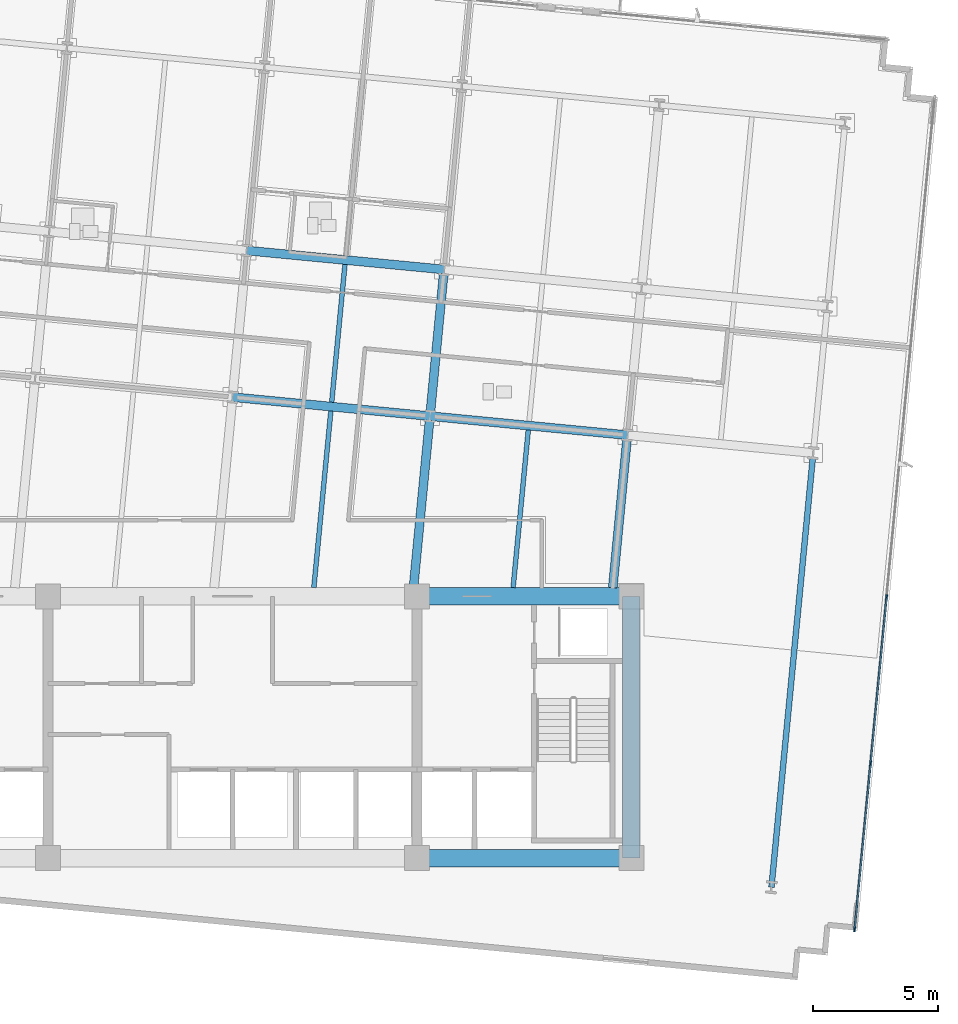
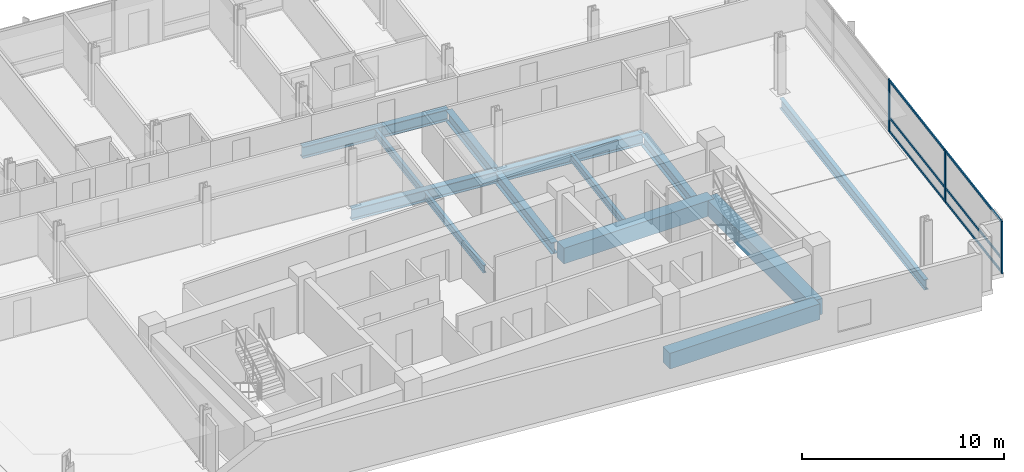
# One storey, part 5 of 17: 13 beams, 9 members, 1 element without a shape of its own.
"""IFC4 building model written with IfcOpenShell, lengths in metres."""

from ifc_helpers import new_model, si_unit, direction, frame, origin, origin_2d, place, context, subcontext, project, spatial, rectangle, i_section, extrude, material, material_profile, profile_set, type_object, element, aggregate, save


model = new_model("IFC4")

# Units and contexts
model_context = context("Model", 3, precision=1e-05, world=origin(), true_north=direction((0.0, 1.0)))
body_context = subcontext(model_context, "Body", "Model", "MODEL_VIEW")
ifc_project = project(units=[si_unit("LENGTHUNIT", "METRE"), si_unit("AREAUNIT", "SQUARE_METRE"), si_unit("VOLUMEUNIT", "CUBIC_METRE"), si_unit("PLANEANGLEUNIT", "RADIAN"), si_unit("MASSUNIT", "GRAM", prefix="KILO")], contexts=[model_context])

# Site, building, storey
site_placement = place(None, origin())
site = spatial("IfcSite", under=ifc_project, at=site_placement, CompositionType="ELEMENT")
building_placement = place(site_placement, origin())
building = spatial("IfcBuilding", under=site, at=building_placement, Name="Solmavex Isthmus Hotel", CompositionType="ELEMENT")
storey_placement = place(building_placement, frame((0.0, 0.0, 156.60009765625)))
storey = spatial("IfcBuildingStorey", under=building, at=storey_placement, Name="L42", CompositionType="ELEMENT", Elevation=156.60009765625)

# Beams
ifc_material_1 = material(Name="Steel ASTM A992 Grade 50", Category="steel")
ifc_material_profile_1 = material_profile(ifc_material_1, i_section(OverallWidth=0.354736328125, OverallDepth=0.695556640625, WebThickness=0.015380859375, FlangeThickness=0.02490234375, FilletRadius=0.017822265625, at=origin_2d()), Name="W27X146")
ifc_profile_set_1 = profile_set([ifc_material_profile_1], Name="Steel ASTM A992 Grade 50")
beam_type_1 = type_object("IfcBeamType", Name="BM-BG-W27X146", PredefinedType="BEAM", material=ifc_profile_set_1)
for number, where, z_axis, x_axis, name in (
    (1, (0.001220703125, 5.490234375, -0.60791015625), (0.995397440011, -0.095832856685, 0.0), (0.095832856685, 0.995397440011, 0.0), "Floor Girder L42-UG06"),
    (2, (7.920654296875, 4.727783203125, -0.60791015625), (0.995397440011, -0.095832856685, 0.0), (0.095832856685, 0.995397440011, 0.0), "Floor Girder L42-UG07"),
):
    element("IfcBeam", number, at=place(storey_placement, frame(where, z_axis=z_axis, x_axis=x_axis)), inside=storey, type_object=beam_type_1, Name=name, PredefinedType="BEAM", context=body_context, shape_type="SweptSolid", body=[
        extrude(i_section(OverallWidth=0.354736328125, OverallDepth=0.695556640625, WebThickness=0.015380859375, FlangeThickness=0.02490234375, FilletRadius=0.017822265625, at=origin_2d()), origin(), (0.0, 0.0, 1.0), 7.9560546875),
    ])
beam_1_placement = place(storey_placement, frame((0.567626953125, 11.37109375, -0.60791015625), z_axis=(0.995397158178, -0.095835783981, 0.0), x_axis=(0.095835783981, 0.995397158178, 0.0)))
element("IfcBeam", 3, at=beam_1_placement, inside=storey, type_object=beam_type_1, Name="Floor Girder L42-UG12", PredefinedType="BEAM", context=body_context, shape_type="SweptSolid", body=[
    extrude(i_section(OverallWidth=0.354736328125, OverallDepth=0.695556640625, WebThickness=0.015380859375, FlangeThickness=0.02490234375, FilletRadius=0.017822265625, at=origin_2d()), origin(), (0.0, 0.0, 1.0), 7.955810546875),
])
beam_2_placement = place(storey_placement, frame((7.25830078125, -2.14990234375, -0.60791015625), z_axis=(0.095847843924, 0.995395996986, 0.0), x_axis=(-0.995395996986, 0.095847843924, 0.0)))
element("IfcBeam", 4, at=beam_2_placement, inside=storey, type_object=beam_type_1, Name="Floor Beam L42-VG33", PredefinedType="BEAM", context=body_context, shape_type="SweptSolid", body=[
    extrude(i_section(OverallWidth=0.354736328125, OverallDepth=0.695556640625, WebThickness=0.015380859375, FlangeThickness=0.02490234375, FilletRadius=0.017822265625, at=origin_2d()), origin(), (0.0, 0.0, 1.0), 6.732177734375),
])
beam_3_placement = place(storey_placement, frame((7.937744140625, 4.904296875, -0.60791015625), z_axis=(0.095842252862, 0.99539653534, 0.0), x_axis=(-0.99539653534, 0.095842252862, 0.0)))
element("IfcBeam", 5, at=beam_3_placement, inside=storey, type_object=beam_type_1, Name="Floor Beam L42-VG34", PredefinedType="BEAM", context=body_context, shape_type="SweptSolid", body=[
    extrude(i_section(OverallWidth=0.354736328125, OverallDepth=0.695556640625, WebThickness=0.015380859375, FlangeThickness=0.02490234375, FilletRadius=0.017822265625, at=origin_2d()), origin(), (0.0, 0.0, 1.0), 5.55322265625),
])
beam_4_placement = place(storey_placement, frame((15.251220703125, -2.14990234375, -0.60791015625), z_axis=(0.095840286514, 0.995396724669, 0.0), x_axis=(-0.995396724669, 0.095840286514, 0.0)))
element("IfcBeam", 6, at=beam_4_placement, inside=storey, type_object=beam_type_1, Name="Floor Beam L42-VG36", PredefinedType="BEAM", context=body_context, shape_type="SweptSolid", body=[
    extrude(i_section(OverallWidth=0.354736328125, OverallDepth=0.695556640625, WebThickness=0.015380859375, FlangeThickness=0.02490234375, FilletRadius=0.017822265625, at=origin_2d()), origin(), (0.0, 0.0, 1.0), 5.9658203125),
])
ifc_material_profile_2 = material_profile(ifc_material_1, i_section(OverallWidth=0.1904296875, OverallDepth=0.456787109375, WebThickness=0.009033203125, FlangeThickness=0.014404296875, FilletRadius=0.0126953125, at=origin_2d()), Name="W18X50")
ifc_profile_set_2 = profile_set([ifc_material_profile_2], Name="Steel ASTM A992 Grade 50")
beam_type_2 = type_object("IfcBeamType", Name="BM-BJ-W18X50", PredefinedType="JOIST", material=ifc_profile_set_2)
beam_5_placement = place(storey_placement, frame((3.261962890625, -2.14990234375, -0.488525390625), z_axis=(0.095837287001, 0.995397013468, 0.0), x_axis=(-0.995397013468, 0.095837287001, 0.0)))
element("IfcBeam", 7, at=beam_5_placement, inside=storey, type_object=beam_type_2, Name="Secondary Floor Joist L42-J10", PredefinedType="JOIST", context=body_context, shape_type="SweptSolid", body=[
    extrude(i_section(OverallWidth=0.1904296875, OverallDepth=0.456787109375, WebThickness=0.009033203125, FlangeThickness=0.014404296875, FilletRadius=0.0126953125, at=origin_2d()), origin(), (0.0, 0.0, 1.0), 7.114990234375),
])
beam_6_placement = place(storey_placement, frame((3.97802734375, 5.28564453125, -0.488525390625), z_axis=(0.095842252862, 0.99539653534, 0.0), x_axis=(-0.99539653534, 0.095842252862, 0.0)))
element("IfcBeam", 8, at=beam_6_placement, inside=storey, type_object=beam_type_2, Name="Secondary Floor Joist L42-J11", PredefinedType="JOIST", context=body_context, shape_type="SweptSolid", body=[
    extrude(i_section(OverallWidth=0.1904296875, OverallDepth=0.456787109375, WebThickness=0.009033203125, FlangeThickness=0.014404296875, FilletRadius=0.0126953125, at=origin_2d()), origin(), (0.0, 0.0, 1.0), 5.55322265625),
])
beam_7_placement = place(storey_placement, frame((11.2548828125, -2.14990234375, -0.488525390625), z_axis=(0.095825243261, 0.995398172971, 0.0), x_axis=(-0.995398172971, 0.095825243261, 0.0)))
element("IfcBeam", 9, at=beam_7_placement, inside=storey, type_object=beam_type_2, Name="Secondary Floor Joist L42-J13", PredefinedType="JOIST", context=body_context, shape_type="SweptSolid", body=[
    extrude(i_section(OverallWidth=0.1904296875, OverallDepth=0.456787109375, WebThickness=0.009033203125, FlangeThickness=0.014404296875, FilletRadius=0.0126953125, at=origin_2d()), origin(), (0.0, 0.0, 1.0), 6.34912109375),
])
ifc_material_2 = material(Name="Concrete C60/75", Category="concrete")
ifc_material_profile_3 = material_profile(ifc_material_2, rectangle(XDim=0.699951171875, YDim=0.949951171875, at=origin_2d()), Name="RC700X950")
ifc_profile_set_3 = profile_set([ifc_material_profile_3], Name="Concrete C60/75")
beam_type_3 = type_object("IfcBeamType", Name="BM-CB-700X950", PredefinedType="BEAM", material=ifc_profile_set_3)
for number, where, z_axis, x_axis, name in (
    (10, (7.39990234375, -13.0, -0.735107421875), (1.0, 0.0, 0.0), (0.0, 1.0, 0.0), "Core Coupling Beam L42-CB3"),
    (11, (7.39990234375, -2.5, -0.735107421875), (1.0, 0.0, 0.0), (0.0, 1.0, 0.0), "Core Coupling Beam L42-CB6"),
):
    element("IfcBeam", number, at=place(storey_placement, frame(where, z_axis=z_axis, x_axis=x_axis)), inside=storey, type_object=beam_type_3, Name=name, PredefinedType="BEAM", context=body_context, shape_type="SweptSolid", body=[
        extrude(rectangle(XDim=0.699951171875, YDim=0.949951171875, at=origin_2d()), origin(), (0.0, 0.0, 1.0), 8.60009765625),
    ])
beam_8_placement = place(storey_placement, frame((16.0, -13.0, -0.735107421875), z_axis=(0.0, 1.0, 0.0), x_axis=(-1.0, 0.0, 0.0)))
element("IfcBeam", 12, at=beam_8_placement, inside=storey, type_object=beam_type_3, Name="Core Coupling Beam L42-CB8", PredefinedType="BEAM", context=body_context, shape_type="SweptSolid", body=[
    extrude(rectangle(XDim=0.699951171875, YDim=0.949951171875, at=origin_2d()), origin(), (0.0, 0.0, 1.0), 10.5),
])
ifc_material_profile_4 = material_profile(ifc_material_1, i_section(OverallWidth=0.230224609375, OverallDepth=0.617431640625, WebThickness=0.01318359375, FlangeThickness=0.022216796875, FilletRadius=0.01513671875, at=origin_2d()), Name="W24X94")
ifc_profile_set_4 = profile_set([ifc_material_profile_4], Name="Steel ASTM A992 Grade 50")
beam_type_4 = type_object("IfcBeamType", Name="BM-SP-W24X94", PredefinedType="SPANDREL", material=ifc_profile_set_4)
beam_9_placement = place(storey_placement, frame((21.6162109375, -14.171875, -0.56884765625), z_axis=(0.095851245948, 0.995395669395, 0.0), x_axis=(-0.995395669395, 0.095851245948, 0.0)))
element("IfcBeam", 13, at=beam_9_placement, inside=storey, type_object=beam_type_4, Name="Floor Beam L42-VG39", PredefinedType="SPANDREL", context=body_context, shape_type="SweptSolid", body=[
    extrude(i_section(OverallWidth=0.230224609375, OverallDepth=0.617431640625, WebThickness=0.01318359375, FlangeThickness=0.022216796875, FilletRadius=0.01513671875, at=origin_2d()), origin(), (0.0, 0.0, 1.0), 17.32275390625),
])

# Curtain wall, members
ifc_material_3 = material(Name="Aluminium alloy 6063-T6", Category="aluminium")
curtain_wall_type = type_object("IfcCurtainWallType", Name="CW-SYS-03", PredefinedType="NOTDEFINED", material=ifc_material_3)
curtain_wall_placement = place(storey_placement, origin())
curtain_wall = element("IfcCurtainWall", 14, at=curtain_wall_placement, inside=storey, type_object=curtain_wall_type, Name="Stick Curtain Wall CWL-L42-E1", PredefinedType="NOTDEFINED")
ifc_material_profile_5 = material_profile(ifc_material_3, rectangle(XDim=0.070068359375, YDim=0.179931640625, at=origin_2d()), Name="CWM-70X180")
ifc_profile_set_5 = profile_set([ifc_material_profile_5], Name="Aluminium alloy 6063-T6")
member_type_1 = type_object("IfcMemberType", Name="CW-SYS-03-MUL", PredefinedType="MULLION", material=ifc_profile_set_5)
member_1_placement = place(storey_placement, frame((24.949462890625, -15.8642578125, 0.0), z_axis=(0.0, 0.0, 1.0), x_axis=(-0.995396190038, 0.09584583902, 0.0)))
member_1 = element("IfcMember", 15, at=member_1_placement, type_object=member_type_1, Name="CW-03 mullion 1", PredefinedType="MULLION", context=body_context, shape_type="SweptSolid", body=[
    extrude(rectangle(XDim=0.070068359375, YDim=0.179931640625, at=origin_2d()), origin(), (0.0, 0.0, 1.0), 3.18994140625),
])
member_2_placement = place(storey_placement, frame((25.590087890625, -9.2099609375, 0.0), z_axis=(0.0, 0.0, 1.0), x_axis=(-0.995396190038, 0.09584583902, 0.0)))
member_2 = element("IfcMember", 16, at=member_2_placement, type_object=member_type_1, Name="CW-03 mullion 2", PredefinedType="MULLION", context=body_context, shape_type="SweptSolid", body=[
    extrude(rectangle(XDim=0.070068359375, YDim=0.179931640625, at=origin_2d()), origin(), (0.0, 0.0, 1.0), 3.18994140625),
])
member_3_placement = place(storey_placement, frame((26.234130859375, -2.520751953125, 0.0), z_axis=(0.0, 0.0, 1.0), x_axis=(-0.995396190038, 0.09584583902, 0.0)))
member_3 = element("IfcMember", 17, at=member_3_placement, type_object=member_type_1, Name="CW-03 mullion 3", PredefinedType="MULLION", context=body_context, shape_type="SweptSolid", body=[
    extrude(rectangle(XDim=0.070068359375, YDim=0.179931640625, at=origin_2d()), origin(), (0.0, 0.0, 1.0), 3.18994140625),
])
ifc_material_profile_6 = material_profile(ifc_material_3, rectangle(XDim=0.070068359375, YDim=0.139892578125, at=origin_2d()), Name="CWT-70X140")
ifc_profile_set_6 = profile_set([ifc_material_profile_6], Name="Aluminium alloy 6063-T6")
member_type_2 = type_object("IfcMemberType", Name="CW-SYS-03-TRN", PredefinedType="USERDEFINED", material=ifc_profile_set_6)
member_4_placement = place(storey_placement, frame((24.95263671875, -15.829345703125, 0.06982421875), z_axis=(0.095848837806, 0.995395901283, 0.0), x_axis=(-0.995395901283, 0.095848837806, 0.0)))
member_4 = element("IfcMember", 18, at=member_4_placement, type_object=member_type_2, Name="CW-03 transom 1.1", ObjectType="TRANSOM", PredefinedType="USERDEFINED", context=body_context, shape_type="SweptSolid", body=[
    extrude(rectangle(XDim=0.070068359375, YDim=0.139892578125, at=origin_2d()), origin(), (0.0, 0.0, 1.0), 6.614990234375),
])
member_5_placement = place(storey_placement, frame((24.95263671875, -15.829345703125, 0.89990234375), z_axis=(0.095848837806, 0.995395901283, 0.0), x_axis=(-0.995395901283, 0.095848837806, 0.0)))
member_5 = element("IfcMember", 19, at=member_5_placement, type_object=member_type_2, Name="CW-03 transom 1.2", ObjectType="TRANSOM", PredefinedType="USERDEFINED", context=body_context, shape_type="SweptSolid", body=[
    extrude(rectangle(XDim=0.070068359375, YDim=0.139892578125, at=origin_2d()), origin(), (0.0, 0.0, 1.0), 6.614990234375),
])
member_6_placement = place(storey_placement, frame((24.95263671875, -15.829345703125, 3.119873046875), z_axis=(0.095848837806, 0.995395901283, 0.0), x_axis=(-0.995395901283, 0.095848837806, 0.0)))
member_6 = element("IfcMember", 20, at=member_6_placement, type_object=member_type_2, Name="CW-03 transom 1.3", ObjectType="TRANSOM", PredefinedType="USERDEFINED", context=body_context, shape_type="SweptSolid", body=[
    extrude(rectangle(XDim=0.070068359375, YDim=0.139892578125, at=origin_2d()), origin(), (0.0, 0.0, 1.0), 6.614990234375),
])
member_7_placement = place(storey_placement, frame((25.593505859375, -9.175048828125, 0.06982421875), z_axis=(0.095857212138, 0.995395094865, 0.0), x_axis=(-0.995395094865, 0.095857212138, 0.0)))
member_7 = element("IfcMember", 21, at=member_7_placement, type_object=member_type_2, Name="CW-03 transom 2.1", ObjectType="TRANSOM", PredefinedType="USERDEFINED", context=body_context, shape_type="SweptSolid", body=[
    extrude(rectangle(XDim=0.070068359375, YDim=0.139892578125, at=origin_2d()), origin(), (0.0, 0.0, 1.0), 6.64990234375),
])
member_8_placement = place(storey_placement, frame((25.593505859375, -9.175048828125, 0.89990234375), z_axis=(0.095857212138, 0.995395094865, 0.0), x_axis=(-0.995395094865, 0.095857212138, 0.0)))
member_8 = element("IfcMember", 22, at=member_8_placement, type_object=member_type_2, Name="CW-03 transom 2.2", ObjectType="TRANSOM", PredefinedType="USERDEFINED", context=body_context, shape_type="SweptSolid", body=[
    extrude(rectangle(XDim=0.070068359375, YDim=0.139892578125, at=origin_2d()), origin(), (0.0, 0.0, 1.0), 6.64990234375),
])
member_9_placement = place(storey_placement, frame((25.593505859375, -9.175048828125, 3.119873046875), z_axis=(0.095857212138, 0.995395094865, 0.0), x_axis=(-0.995395094865, 0.095857212138, 0.0)))
member_9 = element("IfcMember", 23, at=member_9_placement, type_object=member_type_2, Name="CW-03 transom 2.3", ObjectType="TRANSOM", PredefinedType="USERDEFINED", context=body_context, shape_type="SweptSolid", body=[
    extrude(rectangle(XDim=0.070068359375, YDim=0.139892578125, at=origin_2d()), origin(), (0.0, 0.0, 1.0), 6.64990234375),
])
aggregate(curtain_wall, [member_1, member_2, member_3, member_4, member_5, member_6, member_7, member_8, member_9])

save(model, "model.ifc")
